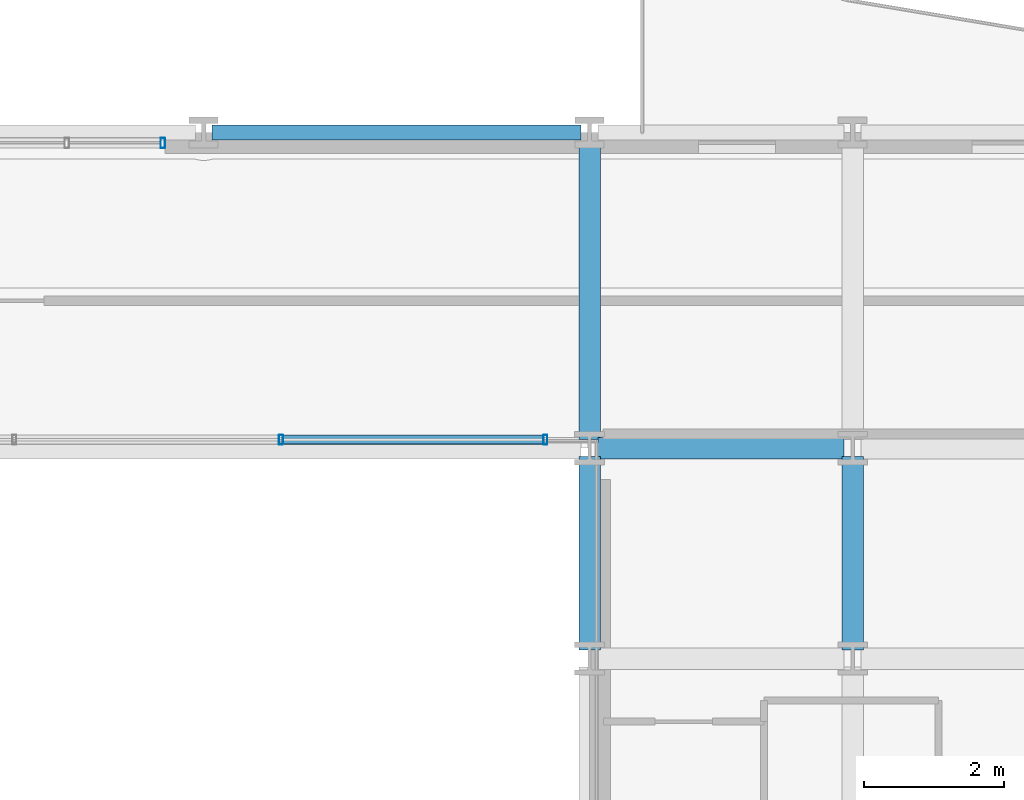
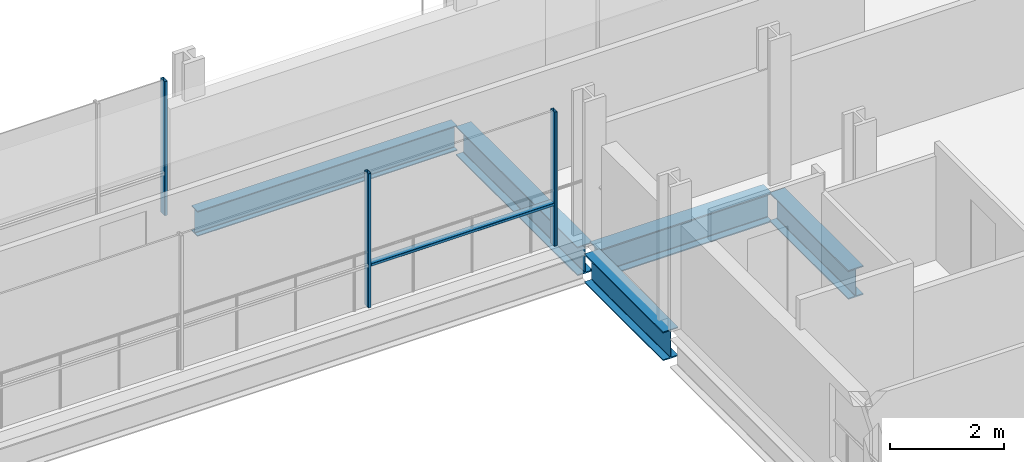
# One storey, part 17 of 38: 5 beams, 4 members, 2 elements without a shape of their own.
"""IFC4 building model written with IfcOpenShell, lengths in metres."""

from ifc_helpers import new_model, si_unit, direction, frame, origin, origin_2d, place, context, subcontext, project, spatial, hollow_rectangle, i_section, extrude, material, layer, layer_set, material_profile, profile_set, type_object, element, aggregate, save


model = new_model("IFC4")

# Units and contexts
model_context = context("Model", 3, precision=1e-05, world=origin(), true_north=direction((0.0, 1.0)))
body_context = subcontext(model_context, "Body", "Model", "MODEL_VIEW")
ifc_project = project(units=[si_unit("LENGTHUNIT", "METRE"), si_unit("AREAUNIT", "SQUARE_METRE"), si_unit("VOLUMEUNIT", "CUBIC_METRE"), si_unit("PLANEANGLEUNIT", "RADIAN"), si_unit("MASSUNIT", "GRAM", prefix="KILO")], contexts=[model_context])

# Site, building, storey
site_placement = place(None, origin())
site = spatial("IfcSite", under=ifc_project, at=site_placement, CompositionType="ELEMENT")
building_placement = place(site_placement, origin())
building = spatial("IfcBuilding", under=site, at=building_placement, Name="Brevholm Reach", CompositionType="ELEMENT")
storey_placement = place(building_placement, frame((0.0, 0.0, 52.800048828125)))
storey = spatial("IfcBuildingStorey", under=building, at=storey_placement, Name="L14", CompositionType="ELEMENT", Elevation=52.800048828125)

# Beams
ifc_material_1 = material(Name="Structural Steel S355J2", Category="steel")
ifc_material_profile_1 = material_profile(ifc_material_1, i_section(OverallWidth=0.210693359375, OverallDepth=0.53955078125, WebThickness=0.01171875, FlangeThickness=0.018798828125, FilletRadius=0.0126953125, at=origin_2d()), Name="UKB 533x210x109")
ifc_profile_set_1 = profile_set([ifc_material_profile_1], Name="Structural Steel S355J2")
beam_type_1 = type_object("IfcBeamType", Name="BM-SP539", PredefinedType="SPANDREL", material=ifc_profile_set_1)
beam_1_placement = place(storey_placement, frame((32.8701171875, 31.0, -0.499755859375), z_axis=(1.0, 0.0, 0.0), x_axis=(0.0, 1.0, 0.0)))
element("IfcBeam", 1, at=beam_1_placement, inside=storey, type_object=beam_type_1, Name="L14 SP-01B Framing Beam", PredefinedType="SPANDREL", context=body_context, shape_type="SweptSolid", body=[
    extrude(i_section(OverallWidth=0.210693359375, OverallDepth=0.53955078125, WebThickness=0.01171875, FlangeThickness=0.018798828125, FilletRadius=0.0126953125, at=origin_2d()), origin(), (0.0, 0.0, 1.0), 5.259765625),
])
ifc_material_2 = material(Name="Structural Steel S355J2", Category="steel")
ifc_material_profile_2 = material_profile(ifc_material_2, i_section(OverallWidth=0.30712890625, OverallDepth=0.6201171875, WebThickness=0.01416015625, FlangeThickness=0.023681640625, FilletRadius=0.0166015625, at=origin_2d()), Name="UKB 610x305x179")
ifc_profile_set_2 = profile_set([ifc_material_profile_2], Name="Structural Steel S355J2")
beam_type_2 = type_object("IfcBeamType", Name="BM-UKB610H", PredefinedType="USERDEFINED", material=ifc_profile_set_2)
beam_2_placement = place(storey_placement, frame((38.3701171875, 26.5, -0.5400390625), z_axis=(1.0, 0.0, 0.0), x_axis=(0.0, 1.0, 0.0)))
element("IfcBeam", 2, at=beam_2_placement, inside=storey, type_object=beam_type_2, Name="L14 G-06 Framing Beam", ObjectType="GIRDER", PredefinedType="USERDEFINED", context=body_context, shape_type="SweptSolid", body=[
    extrude(i_section(OverallWidth=0.30712890625, OverallDepth=0.6201171875, WebThickness=0.01416015625, FlangeThickness=0.023681640625, FilletRadius=0.0166015625, at=origin_2d()), origin(), (0.0, 0.0, 1.0), 3.509765625),
])
beam_3_placement = place(storey_placement, frame((38.25, 23.6201171875, -0.5400390625), z_axis=(0.0, 1.0, 0.0), x_axis=(-1.0, 0.0, 0.0)))
element("IfcBeam", 3, at=beam_3_placement, inside=storey, type_object=beam_type_2, Name="L14 G-06 Framing Beam", ObjectType="GIRDER", PredefinedType="USERDEFINED", context=body_context, shape_type="SweptSolid", body=[
    extrude(i_section(OverallWidth=0.30712890625, OverallDepth=0.6201171875, WebThickness=0.01416015625, FlangeThickness=0.023681640625, FilletRadius=0.0166015625, at=origin_2d()), origin(), (0.0, 0.0, 1.0), 2.759765625),
])
beam_4_placement = place(storey_placement, frame((38.25, 26.6201171875, -0.5400390625), z_axis=(0.0, 1.0, 0.0), x_axis=(-1.0, 0.0, 0.0)))
element("IfcBeam", 4, at=beam_4_placement, inside=storey, type_object=beam_type_2, Name="L14 G-06 Framing Beam", ObjectType="GIRDER", PredefinedType="USERDEFINED", context=body_context, shape_type="SweptSolid", body=[
    extrude(i_section(OverallWidth=0.30712890625, OverallDepth=0.6201171875, WebThickness=0.01416015625, FlangeThickness=0.023681640625, FilletRadius=0.0166015625, at=origin_2d()), origin(), (0.0, 0.0, 1.0), 4.259765625),
])
beam_5_placement = place(storey_placement, frame((42.0, 23.6201171875, -0.5400390625), z_axis=(0.0, 1.0, 0.0), x_axis=(-1.0, 0.0, 0.0)))
element("IfcBeam", 5, at=beam_5_placement, inside=storey, type_object=beam_type_2, Name="L14 G-06 Framing Beam", ObjectType="GIRDER", PredefinedType="USERDEFINED", context=body_context, shape_type="SweptSolid", body=[
    extrude(i_section(OverallWidth=0.30712890625, OverallDepth=0.6201171875, WebThickness=0.01416015625, FlangeThickness=0.023681640625, FilletRadius=0.0166015625, at=origin_2d()), origin(), (0.0, 0.0, 1.0), 2.759765625),
])

# Curtain wall, members
ifc_material_3 = material(Name="Dark Anodised Aluminium 6063-T6 and Solar-Control Glass", Category="aluminium")
ifc_layer_1 = layer(ifc_material_3, 0.139892578125)
ifc_layer_set_1 = layer_set([ifc_layer_1], Name="Dark Anodised Aluminium 6063-T6 and Solar-Control Glass")
curtain_wall_type_1 = type_object("IfcCurtainWallType", Name="CW-02", PredefinedType="NOTDEFINED", material=ifc_layer_set_1)
curtain_wall_1_placement = place(storey_placement, origin())
curtain_wall_1 = element("IfcCurtainWall", 6, at=curtain_wall_1_placement, inside=storey, type_object=curtain_wall_type_1, Name="L14 Curtain Wall CW-02", PredefinedType="NOTDEFINED")
ifc_material_4 = material(Name="Dark Anodised Aluminium 6063-T6", Category="aluminium")
ifc_material_profile_3 = material_profile(ifc_material_4, hollow_rectangle(XDim=0.06005859375, YDim=0.139892578125, WallThickness=0.0048828125, InnerFilletRadius=0.0048828125, OuterFilletRadius=0.010009765625, at=origin_2d()), Name="RHS 140x60x5")
ifc_profile_set_3 = profile_set([ifc_material_profile_3], Name="Dark Anodised Aluminium 6063-T6")
member_type_1 = type_object("IfcMemberType", Name="CWM-140", PredefinedType="MULLION", material=ifc_profile_set_3)
member_1_placement = place(storey_placement, frame((37.6201171875, 26.6201171875, 0.0), z_axis=(0.0, 0.0, 1.0), x_axis=(-1.0, 0.0, 0.0)))
member_1 = element("IfcMember", 7, at=member_1_placement, type_object=member_type_1, Name="CM-140 Mullion 1", PredefinedType="MULLION", context=body_context, shape_type="SweptSolid", body=[
    extrude(hollow_rectangle(XDim=0.06005859375, YDim=0.139892578125, WallThickness=0.0048828125, InnerFilletRadius=0.0048828125, OuterFilletRadius=0.010009765625, at=origin_2d()), origin(), (0.0, 0.0, 1.0), 2.869873046875),
])
member_2_placement = place(storey_placement, frame((33.85009765625, 26.6201171875, 0.0), z_axis=(0.0, 0.0, 1.0), x_axis=(-1.0, 0.0, 0.0)))
member_2 = element("IfcMember", 8, at=member_2_placement, type_object=member_type_1, Name="CM-140 Mullion 2", PredefinedType="MULLION", context=body_context, shape_type="SweptSolid", body=[
    extrude(hollow_rectangle(XDim=0.06005859375, YDim=0.139892578125, WallThickness=0.0048828125, InnerFilletRadius=0.0048828125, OuterFilletRadius=0.010009765625, at=origin_2d()), origin(), (0.0, 0.0, 1.0), 2.869873046875),
])

# Curtain wall, member
ifc_material_5 = material(Name="Dark Anodised Aluminium 6063-T6 and Solar-Control Glass", Category="aluminium")
ifc_layer_2 = layer(ifc_material_5, 0.14990234375)
ifc_layer_set_2 = layer_set([ifc_layer_2], Name="Dark Anodised Aluminium 6063-T6 and Solar-Control Glass")
curtain_wall_type_2 = type_object("IfcCurtainWallType", Name="CW-01", PredefinedType="NOTDEFINED", material=ifc_layer_set_2)
curtain_wall_2_placement = place(storey_placement, origin())
curtain_wall_2 = element("IfcCurtainWall", 9, at=curtain_wall_2_placement, inside=storey, type_object=curtain_wall_type_2, Name="L14 Curtain Wall CW-01", PredefinedType="NOTDEFINED")
ifc_material_6 = material(Name="Dark Anodised Aluminium 6063-T6", Category="aluminium")
ifc_material_profile_4 = material_profile(ifc_material_6, hollow_rectangle(XDim=0.06494140625, YDim=0.14990234375, WallThickness=0.0048828125, InnerFilletRadius=0.0048828125, OuterFilletRadius=0.010009765625, at=origin_2d()), Name="RHS 150x65x5")
ifc_profile_set_4 = profile_set([ifc_material_profile_4], Name="Dark Anodised Aluminium 6063-T6")
member_type_2 = type_object("IfcMemberType", Name="CWM-150", PredefinedType="MULLION", material=ifc_profile_set_4)
member_3_placement = place(storey_placement, frame((32.16748046875, 30.85009765625, 0.0), z_axis=(0.0, 0.0, 1.0), x_axis=(1.0, 0.0, 0.0)))
member_3 = element("IfcMember", 10, at=member_3_placement, type_object=member_type_2, Name="CM-150 Mullion 3", PredefinedType="MULLION", context=body_context, shape_type="SweptSolid", body=[
    extrude(hollow_rectangle(XDim=0.06494140625, YDim=0.14990234375, WallThickness=0.0048828125, InnerFilletRadius=0.0048828125, OuterFilletRadius=0.010009765625, at=origin_2d()), origin(), (0.0, 0.0, 1.0), 2.869873046875),
])
aggregate(curtain_wall_2, [member_3])

# Member
ifc_material_7 = material(Name="Dark Anodised Aluminium 6063-T6", Category="aluminium")
ifc_material_profile_5 = material_profile(ifc_material_7, hollow_rectangle(XDim=0.06005859375, YDim=0.139892578125, WallThickness=0.0048828125, InnerFilletRadius=0.0048828125, OuterFilletRadius=0.010009765625, at=origin_2d()), Name="RHS 140x60x5")
ifc_profile_set_5 = profile_set([ifc_material_profile_5], Name="Dark Anodised Aluminium 6063-T6")
member_type_3 = type_object("IfcMemberType", Name="CWT-140", PredefinedType="NOTDEFINED", material=ifc_profile_set_5)
member_4_placement = place(storey_placement, frame((37.590087890625, 26.6201171875, 0.89990234375), z_axis=(-1.0, 0.0, 0.0), x_axis=(0.0, 0.0, 1.0)))
member_4 = element("IfcMember", 11, at=member_4_placement, type_object=member_type_3, Name="CT-140 Transom 1.1", ObjectType="TRANSOM", PredefinedType="USERDEFINED", context=body_context, shape_type="SweptSolid", body=[
    extrude(hollow_rectangle(XDim=0.06005859375, YDim=0.139892578125, WallThickness=0.0048828125, InnerFilletRadius=0.0048828125, OuterFilletRadius=0.010009765625, at=origin_2d()), origin(), (0.0, 0.0, 1.0), 3.710205078125),
])

aggregate(curtain_wall_1, [member_1, member_2, member_4])

save(model, "model.ifc")
